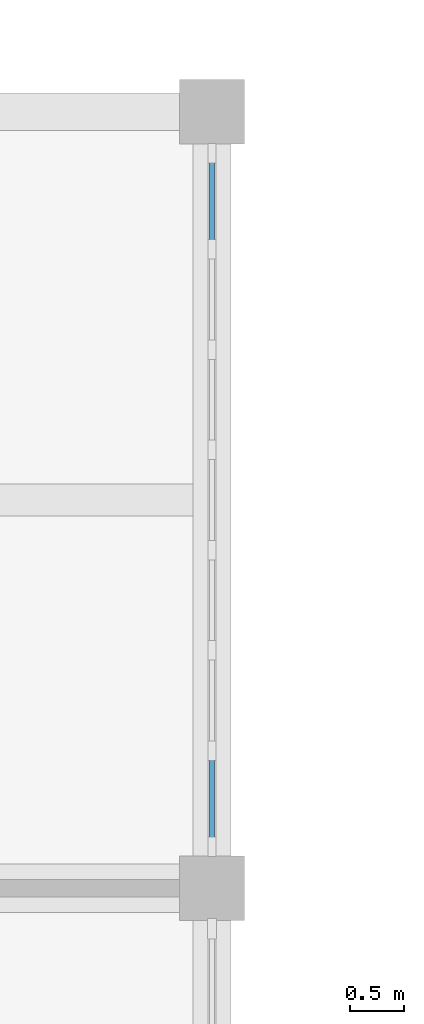
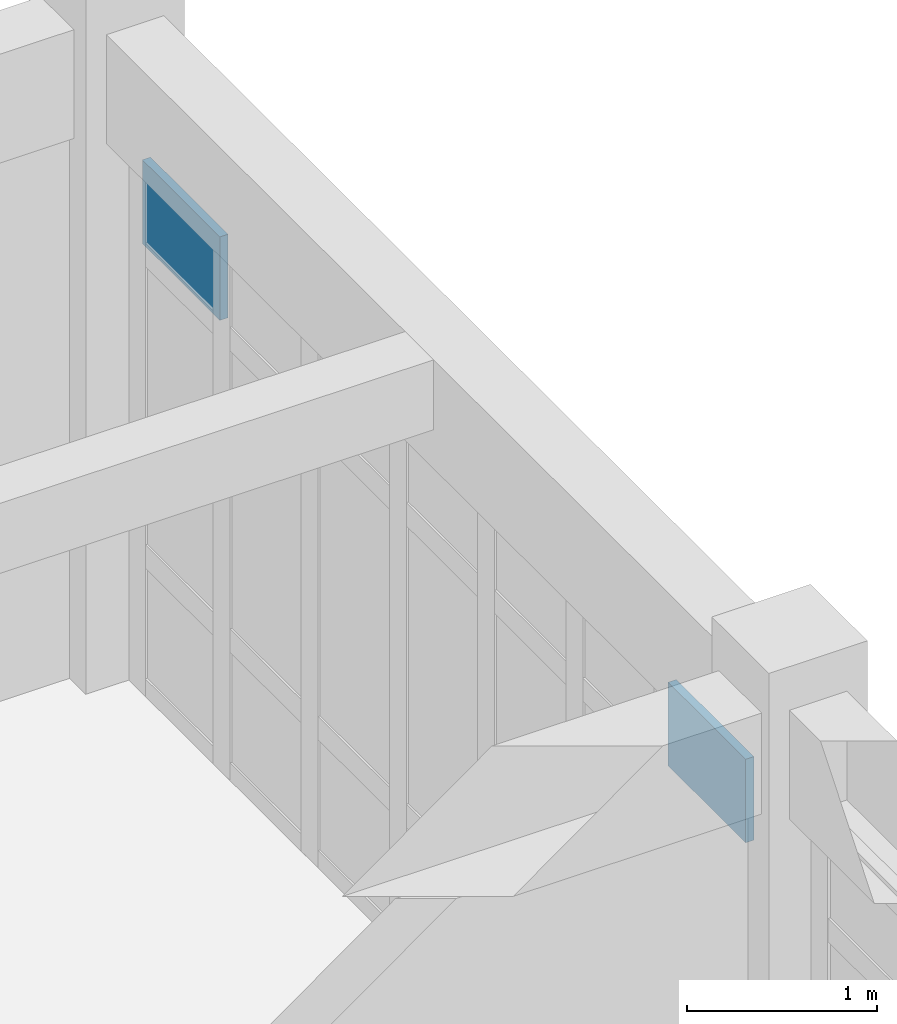
# One storey, part 54 of 81: 2 plates, 1 element without a shape of its own.
"""IFC4 building model written with IfcOpenShell, lengths in metres."""

from ifc_helpers import new_model, si_unit, direction, frame, origin, origin_2d, place, context, subcontext, project, spatial, rectangle, extrude, material, layer, layer_set, type_object, element, aggregate, save


model = new_model("IFC4")

# Units and contexts
model_context = context("Model", 3, precision=1e-05, world=origin(), true_north=direction((0.0, 1.0)))
body_context = subcontext(model_context, "Body", "Model", "MODEL_VIEW")
ifc_project = project(units=[si_unit("LENGTHUNIT", "METRE"), si_unit("AREAUNIT", "SQUARE_METRE"), si_unit("VOLUMEUNIT", "CUBIC_METRE"), si_unit("PLANEANGLEUNIT", "RADIAN"), si_unit("MASSUNIT", "GRAM", prefix="KILO")], contexts=[model_context])

# Site, building, storey
site_placement = place(None, origin())
site = spatial("IfcSite", under=ifc_project, at=site_placement, CompositionType="ELEMENT")
building_placement = place(site_placement, origin())
building = spatial("IfcBuilding", under=site, at=building_placement, Name="Kavelor Marine Aquarium", CompositionType="ELEMENT")
storey_placement = place(building_placement, frame((0.0, 0.0, 4.679931640625)))
storey = spatial("IfcBuildingStorey", under=building, at=storey_placement, Name="L01", CompositionType="ELEMENT", Elevation=4.679931640625)

# Curtain wall, plates
ifc_material_1 = material(Name="Thermally Broken Aluminium and Low-E Glass", Category="aluminium")
ifc_layer_1 = layer(ifc_material_1, 0.14794921875)
ifc_layer_set_1 = layer_set([ifc_layer_1], Name="CW-SYS1")
curtain_wall_type = type_object("IfcCurtainWallType", Name="CW-SYS1", PredefinedType="USERDEFINED", material=ifc_layer_set_1)
curtain_wall_placement = place(storey_placement, origin())
curtain_wall = element("IfcCurtainWall", 1, at=curtain_wall_placement, inside=storey, type_object=curtain_wall_type, Name="cw:y:L01:14_01", ObjectType="Curtain Wall", PredefinedType="USERDEFINED")
ifc_material_2 = material(Name="Solar-Control Double Low-E Glazing", Category="glass")
ifc_layer_2 = layer(ifc_material_2, 0.050048828125)
ifc_layer_set_2 = layer_set([ifc_layer_2], Name="CWP-13")
plate_type = type_object("IfcPlateType", Name="CWP-13", PredefinedType="CURTAIN_PANEL", material=ifc_layer_set_2)
plate_1_placement = place(storey_placement, frame((104.0, 10.828857421875, 2.87744140625), z_axis=(0.0, 0.0, 1.0), x_axis=(0.0, 1.0, 0.0)))
plate_1 = element("IfcPlate", 2, at=plate_1_placement, type_object=plate_type, Name="CW01 panel 1.3", PredefinedType="CURTAIN_PANEL", context=body_context, shape_type="SweptSolid", body=[
    extrude(rectangle(XDim=0.8173828125, YDim=0.050048828125, at=origin_2d()), origin(), (0.0, 0.0, 1.0), 0.53759765625),
])
plate_2_placement = place(storey_placement, frame((104.0, 16.371337890625, 2.87744140625), z_axis=(0.0, 0.0, 1.0), x_axis=(0.0, 1.0, 0.0)))
plate_2 = element("IfcPlate", 3, at=plate_2_placement, type_object=plate_type, Name="CW01 panel 7.3", PredefinedType="CURTAIN_PANEL", context=body_context, shape_type="SweptSolid", body=[
    extrude(rectangle(XDim=0.8173828125, YDim=0.050048828125, at=origin_2d()), origin(), (0.0, 0.0, 1.0), 0.53759765625),
])
aggregate(curtain_wall, [plate_1, plate_2])

save(model, "model.ifc")
